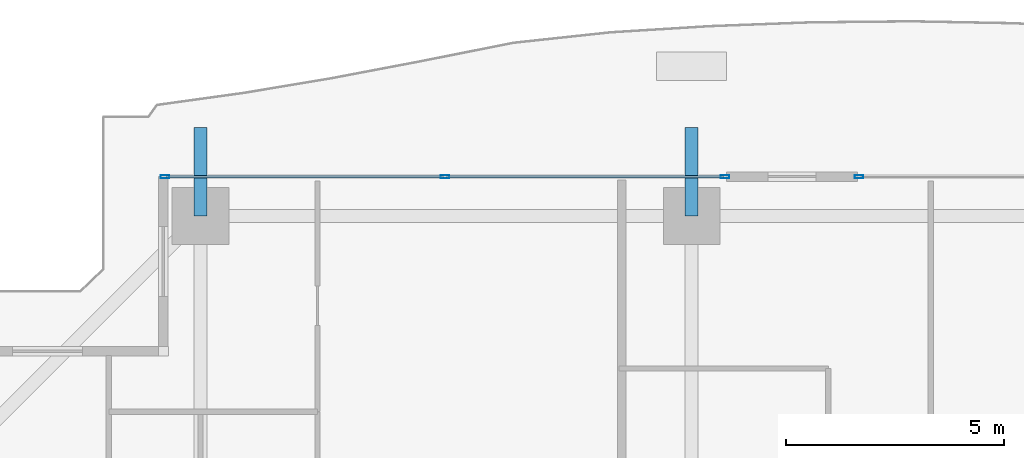
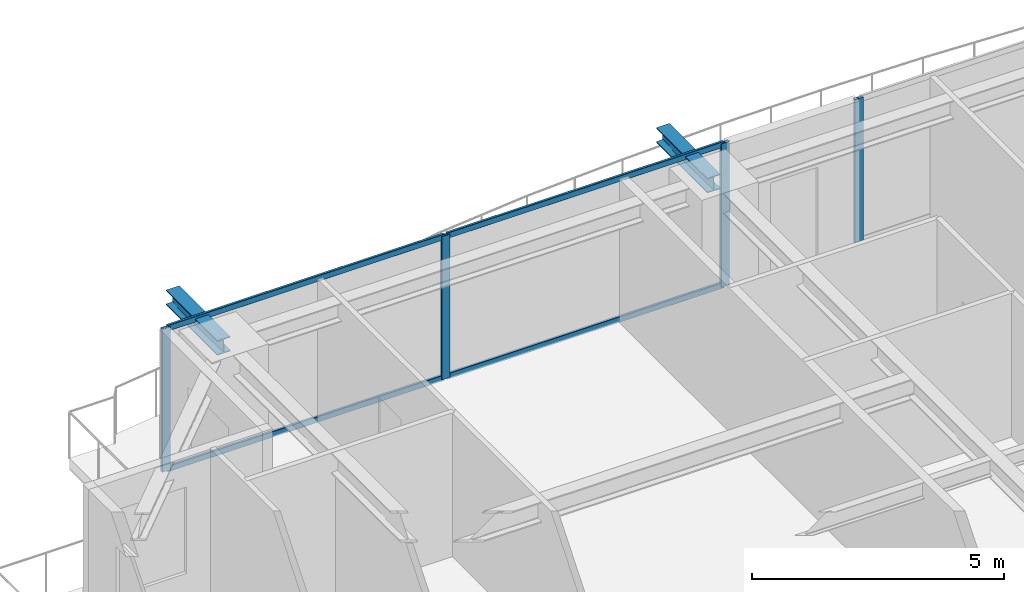
# One storey, part 21 of 37: 8 members, 2 beams, 2 elements without a shape of their own.
"""IFC4 building model written with IfcOpenShell, lengths in metres."""

from ifc_helpers import new_model, si_unit, direction, frame, origin, origin_2d, place, context, subcontext, project, spatial, hollow_rectangle, i_section, extrude, source, transform, mapped, material, layer, layer_set, material_profile, profile_set, type_object, element, aggregate, save


model = new_model("IFC4")

# Units and contexts
model_context = context("Model", 3, precision=1e-05, world=origin(), true_north=direction((0.0, 1.0)))
body_context = subcontext(model_context, "Body", "Model", "MODEL_VIEW")
ifc_project = project(units=[si_unit("LENGTHUNIT", "METRE"), si_unit("AREAUNIT", "SQUARE_METRE"), si_unit("VOLUMEUNIT", "CUBIC_METRE"), si_unit("PLANEANGLEUNIT", "RADIAN"), si_unit("MASSUNIT", "GRAM", prefix="KILO")], contexts=[model_context])

# Site, building, storey
site_placement = place(None, origin())
site = spatial("IfcSite", under=ifc_project, at=site_placement, CompositionType="ELEMENT")
building_placement = place(site_placement, origin())
building = spatial("IfcBuilding", under=site, at=building_placement, Name="Serunith Strait Residences", CompositionType="ELEMENT")
storey_placement = place(building_placement, frame((0.0, 0.0, 153.89990234375)))
storey = spatial("IfcBuildingStorey", under=building, at=storey_placement, Name="L38", CompositionType="ELEMENT", Elevation=153.89990234375)

# Beams
ifc_material_1 = material(Name="Steel S355J2", Category="steel")
ifc_material_profile_1 = material_profile(ifc_material_1, i_section(OverallWidth=0.300048828125, OverallDepth=0.360107421875, WebThickness=0.012451171875, FlangeThickness=0.0224609375, FilletRadius=0.027099609375, at=origin_2d()), Name="HEB 360")
ifc_profile_set_1 = profile_set([ifc_material_profile_1], Name="Steel S355J2")
beam_type = type_object("IfcBeamType", Name="BM-HEB360", PredefinedType="BEAM", material=ifc_profile_set_1)
shared_shape_1 = source(origin(), body_context, "Body", "SweptSolid", [
    extrude(i_section(OverallWidth=0.300048828125, OverallDepth=0.360107421875, WebThickness=0.012451171875, FlangeThickness=0.0224609375, FilletRadius=0.027099609375, at=origin_2d()), origin(), (0.0, 0.0, 1.0), 2.02978515625),
])
for number, where, z_axis, x_axis, name in (
    (1, (16.64990234375, 48.10009765625, 3.277099609375), (0.0, 1.0, 0.0), (-1.0, 0.0, 0.0), "L39 Cantilevered Balcony Rib TC-N1"),
    (2, (27.89990234375, 48.10009765625, 3.277099609375), (0.0, 1.0, 0.0), (-1.0, 0.0, 0.0), "L39 Cantilevered Balcony Rib TC-N2"),
):
    element("IfcBeam", number, at=place(storey_placement, frame(where, z_axis=z_axis, x_axis=x_axis)), inside=storey, type_object=beam_type, Name=name, PredefinedType="BEAM", context=body_context, shape_type="MappedRepresentation", body=[
        mapped(shared_shape_1, transform((0.0, 0.0, 0.0), scale=1.0)),
    ])

# Curtain wall, member
ifc_material_2 = material(Name="Pale-Champagne Anodised Aluminium", Category="aluminium")
ifc_layer = layer(ifc_material_2, 0.199951171875, Name="Pale-Champagne Anodised Aluminium")
ifc_layer_set = layer_set([ifc_layer], Name="Pale-Champagne Anodised Aluminium")
curtain_wall_type = type_object("IfcCurtainWallType", Name="CW-SYS2", PredefinedType="NOTDEFINED", material=ifc_layer_set)
curtain_wall_1_placement = place(storey_placement, origin())
curtain_wall_1 = element("IfcCurtainWall", 3, at=curtain_wall_1_placement, inside=storey, type_object=curtain_wall_type, Name="L38 N Unitised Fritted Curtain Wall", PredefinedType="NOTDEFINED")
ifc_material_profile_2 = material_profile(ifc_material_2, hollow_rectangle(XDim=0.070068359375, YDim=0.199951171875, WallThickness=0.00390625, InnerFilletRadius=0.006103515625, OuterFilletRadius=0.010009765625, at=origin_2d()), Name="ALU 200x70x4")
ifc_profile_set_2 = profile_set([ifc_material_profile_2], Name="Pale-Champagne Anodised Aluminium")
member_type_1 = type_object("IfcMemberType", Name="CW-SYS2-MULL", PredefinedType="MULLION", material=ifc_profile_set_2)
shared_shape_2 = source(origin(), body_context, "Body", "SweptSolid", [
    extrude(hollow_rectangle(XDim=0.070068359375, YDim=0.199951171875, WallThickness=0.00390625, InnerFilletRadius=0.006103515625, OuterFilletRadius=0.010009765625, at=origin_2d()), origin(), (0.0, 0.0, 1.0), 3.47509765625),
])
member_1_placement = place(storey_placement, frame((31.735107421875, 49.0, 0.0), z_axis=(0.0, 0.0, 1.0), x_axis=(0.0, -1.0, 0.0)))
member_1 = element("IfcMember", 4, at=member_1_placement, type_object=member_type_1, Name="CW-2 mullion 4", PredefinedType="MULLION", context=body_context, shape_type="MappedRepresentation", body=[
    mapped(shared_shape_2, transform((0.0, 0.0, 0.0), scale=1.0)),
])
aggregate(curtain_wall_1, [member_1])

# Curtain wall, members
curtain_wall_2_placement = place(storey_placement, origin())
curtain_wall_2 = element("IfcCurtainWall", 5, at=curtain_wall_2_placement, inside=storey, type_object=curtain_wall_type, Name="L38 N Unitised Fritted Curtain Wall", PredefinedType="NOTDEFINED")
member_2_placement = place(storey_placement, frame((28.6650390625, 49.0, 0.0), z_axis=(0.0, 0.0, 1.0), x_axis=(0.0, -1.0, 0.0)))
member_2 = element("IfcMember", 6, at=member_2_placement, type_object=member_type_1, Name="CW-2 mullion 1", PredefinedType="MULLION", context=body_context, shape_type="MappedRepresentation", body=[
    mapped(shared_shape_2, transform((0.0, 0.0, 0.0), scale=1.0)),
])
member_3_placement = place(storey_placement, frame((22.25, 49.0, 0.0), z_axis=(0.0, 0.0, 1.0), x_axis=(0.0, -1.0, 0.0)))
member_3 = element("IfcMember", 7, at=member_3_placement, type_object=member_type_1, Name="CW-2 mullion 2", PredefinedType="MULLION", context=body_context, shape_type="MappedRepresentation", body=[
    mapped(shared_shape_2, transform((0.0, 0.0, 0.0), scale=1.0)),
])
member_4_placement = place(storey_placement, frame((15.8349609375, 49.0, 0.0), z_axis=(0.0, 0.0, 1.0), x_axis=(0.0, -1.0, 0.0)))
member_4 = element("IfcMember", 8, at=member_4_placement, type_object=member_type_1, Name="CW-2 mullion 3", PredefinedType="MULLION", context=body_context, shape_type="MappedRepresentation", body=[
    mapped(shared_shape_2, transform((0.0, 0.0, 0.0), scale=1.0)),
])
ifc_material_profile_3 = material_profile(ifc_material_2, hollow_rectangle(XDim=0.06005859375, YDim=0.139892578125, WallThickness=0.00341796875, InnerFilletRadius=0.00537109375, OuterFilletRadius=0.0087890625, at=origin_2d()), Name="ALU 140x60x3.5")
ifc_profile_set_3 = profile_set([ifc_material_profile_3], Name="Pale-Champagne Anodised Aluminium")
member_type_2 = type_object("IfcMemberType", Name="CW-SYS2-TRAN", PredefinedType="USERDEFINED", material=ifc_profile_set_3)
shared_shape_3 = source(origin(), body_context, "Body", "SweptSolid", [
    extrude(hollow_rectangle(XDim=0.06005859375, YDim=0.139892578125, WallThickness=0.00341796875, InnerFilletRadius=0.00537109375, OuterFilletRadius=0.0087890625, at=origin_2d()), origin(), (0.0, 0.0, 1.0), 6.344970703125),
])
member_5_placement = place(storey_placement, frame((28.6298828125, 49.0, 0.030029296875), z_axis=(-1.0, 0.0, 0.0), x_axis=(0.0, -1.0, 0.0)))
member_5 = element("IfcMember", 9, at=member_5_placement, type_object=member_type_2, Name="CW-2 transom 1.1", ObjectType="TRANSOM", PredefinedType="USERDEFINED", context=body_context, shape_type="MappedRepresentation", body=[
    mapped(shared_shape_3, transform((0.0, 0.0, 0.0), scale=1.0)),
])
member_6_placement = place(storey_placement, frame((28.6298828125, 49.0, 3.445068359375), z_axis=(-1.0, 0.0, 0.0), x_axis=(0.0, -1.0, 0.0)))
member_6 = element("IfcMember", 10, at=member_6_placement, type_object=member_type_2, Name="CW-2 transom 1.2", ObjectType="TRANSOM", PredefinedType="USERDEFINED", context=body_context, shape_type="MappedRepresentation", body=[
    mapped(shared_shape_3, transform((0.0, 0.0, 0.0), scale=1.0)),
])
member_7_placement = place(storey_placement, frame((22.215087890625, 49.0, 0.030029296875), z_axis=(-1.0, 0.0, 0.0), x_axis=(0.0, -1.0, 0.0)))
member_7 = element("IfcMember", 11, at=member_7_placement, type_object=member_type_2, Name="CW-2 transom 2.1", ObjectType="TRANSOM", PredefinedType="USERDEFINED", context=body_context, shape_type="MappedRepresentation", body=[
    mapped(shared_shape_3, transform((0.0, 0.0, 0.0), scale=1.0)),
])
member_8_placement = place(storey_placement, frame((22.215087890625, 49.0, 3.445068359375), z_axis=(-1.0, 0.0, 0.0), x_axis=(0.0, -1.0, 0.0)))
member_8 = element("IfcMember", 12, at=member_8_placement, type_object=member_type_2, Name="CW-2 transom 2.2", ObjectType="TRANSOM", PredefinedType="USERDEFINED", context=body_context, shape_type="MappedRepresentation", body=[
    mapped(shared_shape_3, transform((0.0, 0.0, 0.0), scale=1.0)),
])
aggregate(curtain_wall_2, [member_2, member_3, member_4, member_5, member_6, member_7, member_8])

save(model, "model.ifc")
